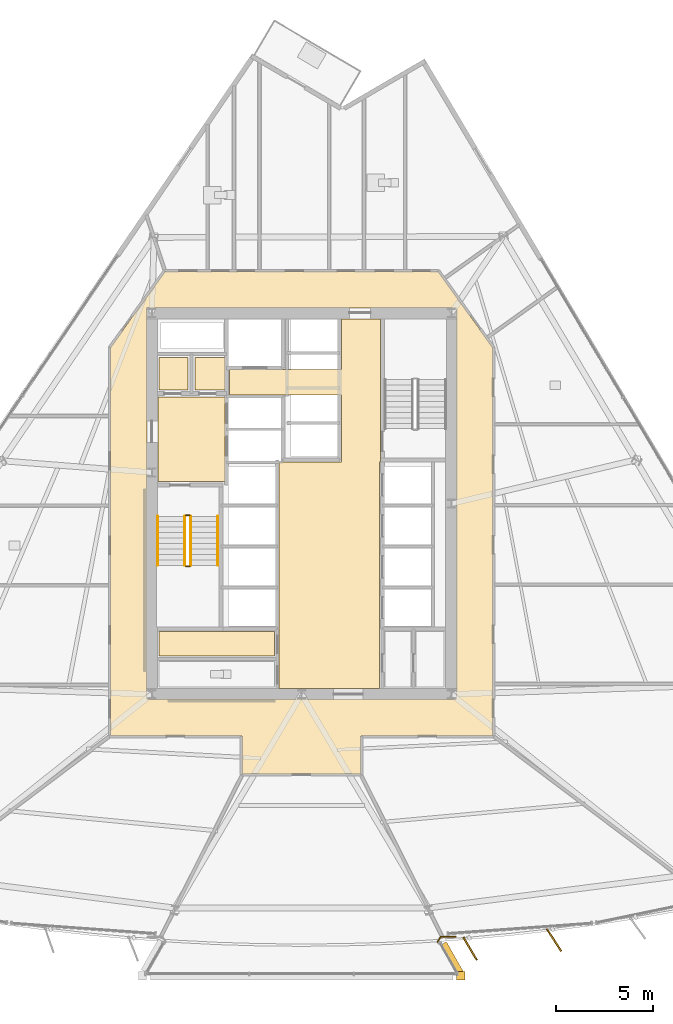
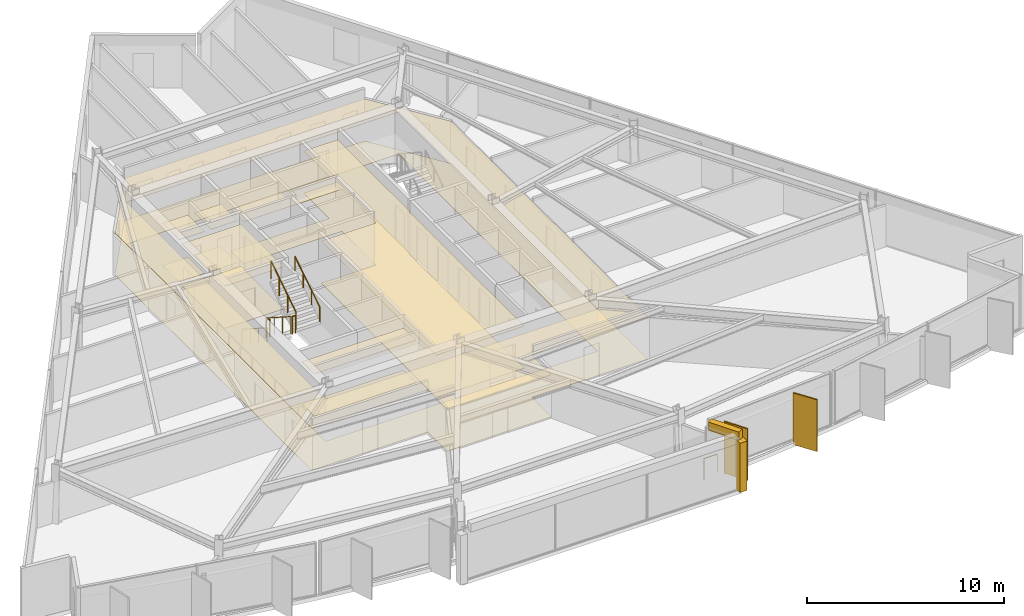
# One storey, part 13 of 16: 14 coverings, 7 railings, 2 shading devices.
"""IFC4 building model written with IfcOpenShell, lengths in metres."""

import ifcopenshell
import ifcopenshell.guid

model = None  # the IFC model being written
_history = None  # IfcOwnerHistory: only IFC2X3 demands one
_inside = {}  # id of a spatial element -> (the spatial element, [elements in it])
_under = {}  # id of a project, library or spatial element -> (it, [spatial elements below it])
_declared = {}  # id of a project -> (the project, [libraries it declares])
_typed = {}  # id of a type object -> (the type object, [elements of that type])
_made_of = {}  # id of a material, layer set ... -> (it, [elements and type objects made of it])


def new_model(schema):
    """Start an empty IFC model of exactly this schema.

    Asked for "IFC4X3", IfcOpenShell would pick the latest addendum, in which some entities
    have other attributes; the version numbers below select the first issue.
    IFC2X3 requires an IfcOwnerHistory on every rooted entity: one is made here for all.
    """
    global model, _history
    if schema == "IFC4X3":
        model = ifcopenshell.file(schema_version=(4, 3, 0, 0))
    else:
        model = ifcopenshell.file(schema=schema)
    _inside.clear()
    _under.clear()
    _declared.clear()
    _typed.clear()
    _made_of.clear()
    _history = None
    if model.schema == "IFC2X3":
        org = make("IfcOrganization", Name="unknown")
        user = make(
            "IfcPersonAndOrganization",
            ThePerson=make("IfcPerson", FamilyName="unknown"),
            TheOrganization=org,
        )
        app = make(
            "IfcApplication",
            ApplicationDeveloper=org,
            Version="unknown",
            ApplicationFullName="unknown",
            ApplicationIdentifier="unknown",
        )
        _history = make(
            "IfcOwnerHistory",
            OwningUser=user,
            OwningApplication=app,
            ChangeAction="ADDED",
            CreationDate=0,
        )
    return model


def make(cls, **values):
    """One entity of the class cls with the attributes given. An attribute that is None is left unset."""
    return model.create_entity(
        cls, **{name: value for name, value in values.items() if value is not None}
    )


def rooted(cls, **values):
    """An entity with a GlobalId (a new one), such as an element, a storey or a relation."""
    return make(cls, GlobalId=ifcopenshell.guid.new(), OwnerHistory=_history, **values)


def si_unit(unit_type, name, prefix=None):
    """IfcSIUnit, for example si_unit("LENGTHUNIT", "METRE", prefix="MILLI")."""
    return make("IfcSIUnit", UnitType=unit_type, Prefix=prefix, Name=name)


def assignment(units):
    """IfcUnitAssignment: the units of a project."""
    return None if units is None else make("IfcUnitAssignment", Units=units)


def point(xyz):
    """IfcCartesianPoint."""
    return None if xyz is None else make("IfcCartesianPoint", Coordinates=xyz)


def direction(xyz):
    """IfcDirection."""
    return None if xyz is None else make("IfcDirection", DirectionRatios=xyz)


def frame(location, z_axis=None, x_axis=None):
    """IfcAxis2Placement3D, a coordinate frame: its origin and axes. An axis left out is left unset."""
    return make(
        "IfcAxis2Placement3D",
        Location=point(location),
        Axis=direction(z_axis),
        RefDirection=direction(x_axis),
    )


def frame_2d(location, x_axis=None):
    """IfcAxis2Placement2D, a coordinate frame in the plane: its origin and x axis."""
    return make(
        "IfcAxis2Placement2D", Location=point(location), RefDirection=direction(x_axis)
    )


def origin():
    """The frame at (0, 0, 0) with its axes left unset."""
    return frame((0.0, 0.0, 0.0))


def origin_2d():
    """The frame at (0, 0) in the plane with its x axis left unset."""
    return frame_2d((0.0, 0.0))


def place(relative_to, where):
    """IfcLocalPlacement: puts the frame where relative to a parent placement (None: the world)."""
    return make(
        "IfcLocalPlacement", PlacementRelTo=relative_to, RelativePlacement=where
    )


def context(
    kind, dimensions, precision=None, world=None, true_north=None, identifier=None
):
    """IfcGeometricRepresentationContext, for example the 3D "Model" context."""
    return make(
        "IfcGeometricRepresentationContext",
        ContextIdentifier=identifier,
        ContextType=kind,
        CoordinateSpaceDimension=dimensions,
        Precision=precision,
        WorldCoordinateSystem=world,
        TrueNorth=true_north,
    )


def subcontext(parent, identifier, kind, view, scale=None):
    """IfcGeometricRepresentationSubContext, for example "Body" below "Model"."""
    return make(
        "IfcGeometricRepresentationSubContext",
        ContextIdentifier=identifier,
        ContextType=kind,
        ParentContext=parent,
        TargetScale=scale,
        TargetView=view,
    )


def project(units=None, contexts=None):
    """IfcProject with its units and contexts."""
    return rooted(
        "IfcProject",
        Name="project",
        RepresentationContexts=contexts,
        UnitsInContext=assignment(units),
    )


def spatial(cls, under=None, at=None, **own):
    """A site, building, storey or space (cls), placed at a placement, below another one or the project."""
    s = rooted(cls, ObjectPlacement=at, **own)
    if under is not None:
        _under.setdefault(under.id(), (under, []))[1].append(s)
    return s


def polyline(points):
    """IfcPolyline through the points."""
    return make("IfcPolyline", Points=[point(p) for p in points])


def profile(cls, at=None, kind="AREA", **sizes):
    """A parametric profile (cls). Its sizes go by their IFC names, for example OverallWidth=200.0."""
    return make(cls, ProfileType=kind, Position=at, **sizes)


def rectangle(**sizes):
    """IfcRectangleProfileDef."""
    return profile("IfcRectangleProfileDef", **sizes)


def circle(**sizes):
    """IfcCircleProfileDef."""
    return profile("IfcCircleProfileDef", **sizes)


def outline(outer, holes=None, kind="AREA"):
    """IfcArbitraryClosedProfileDef: a profile drawn as a closed curve; with holes, ...WithVoids."""
    if holes is None:
        return make("IfcArbitraryClosedProfileDef", ProfileType=kind, OuterCurve=outer)
    return make(
        "IfcArbitraryProfileDefWithVoids",
        ProfileType=kind,
        OuterCurve=outer,
        InnerCurves=holes,
    )


def extrude(swept, where, along, depth):
    """IfcExtrudedAreaSolid: the profile swept, set in the frame where, extruded along a direction by depth."""
    return make(
        "IfcExtrudedAreaSolid",
        SweptArea=swept,
        Position=where,
        ExtrudedDirection=direction(along),
        Depth=depth,
    )


def shape(context_of_items, identifier, shape_type, items):
    """IfcShapeRepresentation: the items that make up one representation, for example the "Body"."""
    return make(
        "IfcShapeRepresentation",
        ContextOfItems=context_of_items,
        RepresentationIdentifier=identifier,
        RepresentationType=shape_type,
        Items=items,
    )


def material(Name=None, Category=None):
    """IfcMaterial."""
    return make("IfcMaterial", Name=Name, Category=Category)


def layer(
    of_material, thickness, ventilated=None, Name=None, Category=None, Priority=None
):
    """IfcMaterialLayer: one layer of a wall or slab, of a material (None: an air gap)."""
    return make(
        "IfcMaterialLayer",
        Material=of_material,
        LayerThickness=thickness,
        IsVentilated=ventilated,
        Name=Name,
        Category=Category,
        Priority=Priority,
    )


def layer_set(layers, Name=None):
    """IfcMaterialLayerSet."""
    return make("IfcMaterialLayerSet", MaterialLayers=layers, LayerSetName=Name)


def made_of(thing, what):
    """Note that an element or type object is made of a material, layer set ...; save() writes the relation."""
    if what is not None:
        _made_of.setdefault(what.id(), (what, []))[1].append(thing)
    return thing


def type_object(cls, material=None, **own):
    """A type object (cls), such as IfcWallType, which elements share."""
    return made_of(rooted(cls, **own), material)


def element(
    cls,
    number,
    at=None,
    inside=None,
    cuts=None,
    type_object=None,
    material=None,
    context=None,
    identifier="Body",
    shape_type=None,
    held_by="IfcProductDefinitionShape",
    body=None,
    shapes=None,
    **own,
):
    """One element of the class cls, such as IfcWall. Its Tag is "e" and its number.

    at: its placement. inside: the storey or other place that contains it. cuts: it is an
    opening in that element (IfcRelVoidsElement). A single representation is given by context,
    identifier, shape_type and body (its items); several are given by shapes. held_by: the class
    of the entity that holds the representations. save() writes the other relations.
    """
    e = rooted(cls, Tag="e%d" % number, ObjectPlacement=at, **own)
    if body is not None:
        shapes = [shape(context, identifier, shape_type, body)]
    if shapes is not None:
        e.Representation = make(held_by, Representations=shapes)
    if inside is not None:
        _inside.setdefault(inside.id(), (inside, []))[1].append(e)
    if cuts is not None:
        rooted(
            "IfcRelVoidsElement", RelatingBuildingElement=cuts, RelatedOpeningElement=e
        )
    if type_object is not None:
        _typed.setdefault(type_object.id(), (type_object, []))[1].append(e)
    return made_of(e, material)


def aggregate(whole, parts):
    """IfcRelAggregates: a whole, such as a stair, and the parts it consists of."""
    return rooted("IfcRelAggregates", RelatingObject=whole, RelatedObjects=parts)


def save(model, path):
    """Write the relations noted so far, then the file.

    IfcRelAggregates (storeys below a building ...), IfcRelContainedInSpatialStructure (elements
    in a storey), IfcRelDefinesByType, IfcRelAssociatesMaterial and IfcRelDeclares: one each for
    every whole, place, type object, material and project.
    """
    for whole, parts in _under.values():
        aggregate(whole, parts)
    for where, things in _inside.values():
        rooted(
            "IfcRelContainedInSpatialStructure",
            RelatedElements=things,
            RelatingStructure=where,
        )
    for kind, things in _typed.values():
        rooted("IfcRelDefinesByType", RelatedObjects=things, RelatingType=kind)
    for what, things in _made_of.values():
        rooted("IfcRelAssociatesMaterial", RelatedObjects=things, RelatingMaterial=what)
    for by, libraries in _declared.values():
        rooted("IfcRelDeclares", RelatingContext=by, RelatedDefinitions=libraries)
    model.write(path)


model = new_model("IFC4")

# Units and contexts
model_context = context("Model", 3, precision=1e-05, world=origin(), true_north=direction((0.0, 1.0)))
body_context = subcontext(model_context, "Body", "Model", "MODEL_VIEW")
ifc_project = project(units=[si_unit("LENGTHUNIT", "METRE"), si_unit("AREAUNIT", "SQUARE_METRE"), si_unit("VOLUMEUNIT", "CUBIC_METRE"), si_unit("PLANEANGLEUNIT", "RADIAN"), si_unit("MASSUNIT", "GRAM", prefix="KILO")], contexts=[model_context])

# Site, building, storey
site_placement = place(None, origin())
site = spatial("IfcSite", under=ifc_project, at=site_placement, CompositionType="ELEMENT")
building_placement = place(site_placement, origin())
building = spatial("IfcBuilding", under=site, at=building_placement, Name="Savorim Split Tower", CompositionType="ELEMENT")
storey_placement = place(building_placement, frame((0.0, 0.0, 69.60009765625)))
storey = spatial("IfcBuildingStorey", under=building, at=storey_placement, Name="L18", CompositionType="ELEMENT", Elevation=69.60009765625)

# Coverings
ifc_material_1 = material(Name="Mineral Fibre Acoustic Ceiling")
ifc_layer_1 = layer(ifc_material_1, 0.02490234375)
ifc_layer_set_1 = layer_set([ifc_layer_1], Name="COV-CEIL-25")
covering_type_1 = type_object("IfcCoveringType", Name="COV-CEIL-25", PredefinedType="CEILING", material=ifc_layer_set_1)
covering_1_placement = place(storey_placement, frame((0.0, 0.0, 2.599853515625)))
element("IfcCovering", 1, at=covering_1_placement, inside=storey, type_object=covering_type_1, Name="L18 Firefighting Lift Lobby Acoustic Ceiling", PredefinedType="CEILING", context=body_context, shape_type="SweptSolid", body=[
    extrude(outline(polyline([(-7.3798828125, 5.8701171875), (-7.3798828125, 1.530029296875), (-3.929931640625, 1.530029296875), (-3.929931640625, 5.8701171875), (-7.3798828125, 5.8701171875)])), origin(), (0.0, 0.0, 1.0), 0.025146484375),
])
covering_2_placement = place(storey_placement, frame((0.0, 0.0, 2.599853515625)))
element("IfcCovering", 2, at=covering_2_placement, inside=storey, type_object=covering_type_1, Name="L18 Electrical Riser Acoustic Ceiling", PredefinedType="CEILING", context=body_context, shape_type="SweptSolid", body=[
    extrude(outline(polyline([(-7.320068359375, 7.919921875), (-7.320068359375, 6.22998046875), (-5.830078125, 6.22998046875), (-5.830078125, 7.919921875), (-7.320068359375, 7.919921875)])), origin(), (0.0, 0.0, 1.0), 0.025146484375),
])
covering_3_placement = place(storey_placement, frame((0.0, 0.0, 2.599853515625)))
element("IfcCovering", 3, at=covering_3_placement, inside=storey, type_object=covering_type_1, Name="L18 Telecom Riser Acoustic Ceiling", PredefinedType="CEILING", context=body_context, shape_type="SweptSolid", body=[
    extrude(outline(polyline([(-5.469970703125, 7.919921875), (-5.469970703125, 6.22998046875), (-3.929931640625, 6.22998046875), (-3.929931640625, 7.919921875), (-5.469970703125, 7.919921875)])), origin(), (0.0, 0.0, 1.0), 0.025146484375),
])
covering_4_placement = place(storey_placement, frame((0.0, 0.0, 2.599853515625)))
element("IfcCovering", 4, at=covering_4_placement, inside=storey, type_object=covering_type_1, Name="L18 Lift Lobby Acoustic Ceiling", PredefinedType="CEILING", context=body_context, shape_type="SweptSolid", body=[
    extrude(outline(polyline([(2.050048828125, 2.550048828125), (-1.14990234375, 2.550048828125), (-1.14990234375, -9.10009765625), (4.0, -9.10009765625), (4.0, 2.550048828125), (4.050048828125, 2.550048828125), (4.050048828125, 5.97998046875), (4.050048828125, 7.300048828125), (4.050048828125, 9.8798828125), (2.050048828125, 9.8798828125), (2.050048828125, 7.300048828125), (-3.699951171875, 7.300048828125), (-3.699951171875, 5.97998046875), (2.050048828125, 5.97998046875), (2.050048828125, 2.550048828125)])), origin(), (0.0, 0.0, 1.0), 0.025146484375),
])
covering_5_placement = place(storey_placement, frame((0.0, 0.0, 2.599853515625)))
element("IfcCovering", 5, at=covering_5_placement, inside=storey, type_object=covering_type_1, Name="L18 Cleaning Store Acoustic Ceiling", PredefinedType="CEILING", context=body_context, shape_type="SweptSolid", body=[
    extrude(outline(polyline([(-7.320068359375, -6.179931640625), (-7.320068359375, -7.43994140625), (-1.3798828125, -7.43994140625), (-1.3798828125, -6.179931640625), (-7.320068359375, -6.179931640625)])), origin(), (0.0, 0.0, 1.0), 0.025146484375),
])
covering_6_placement = place(storey_placement, frame((0.0, 0.0, 2.599853515625)))
element("IfcCovering", 6, at=covering_6_placement, inside=storey, type_object=covering_type_1, Name="L18 Corridor Acoustic Ceiling", PredefinedType="CEILING", context=body_context, shape_type="SweptSolid", body=[
    extrude(outline(polyline([(7.009521484375, 12.3291015625), (7.004638671875, 12.329833984375), (7.0, 12.330078125), (-7.0, 12.330078125), (-7.004638671875, 12.329833984375), (-7.009521484375, 12.3291015625), (-7.013916015625, 12.327880859375), (-7.0185546875, 12.326416015625), (-7.022705078125, 12.324462890625), (-7.027099609375, 12.322021484375), (-7.03076171875, 12.3193359375), (-7.034423828125, 12.31640625), (-7.03759765625, 12.312744140625), (-7.04052734375, 12.30908203125), (-9.820556640625, 8.42919921875), (-9.823486328125, 8.4248046875), (-9.82568359375, 8.420166015625), (-9.82763671875, 8.415283203125), (-9.828857421875, 8.410400390625), (-9.82958984375, 8.4052734375), (-9.830078125, 8.39990234375), (-9.830078125, -11.47998046875), (-9.829833984375, -11.48486328125), (-9.8291015625, -11.48974609375), (-9.827880859375, -11.494384765625), (-9.826171875, -11.4990234375), (-9.82421875, -11.503662109375), (-9.821533203125, -11.5078125), (-9.818603515625, -11.51171875), (-9.8154296875, -11.515380859375), (-9.811767578125, -11.518798828125), (-9.807861328125, -11.521484375), (-9.8037109375, -11.524169921875), (-9.799072265625, -11.526123046875), (-9.79443359375, -11.52783203125), (-9.789794921875, -11.529052734375), (-9.784912109375, -11.52978515625), (-9.780029296875, -11.530029296875), (-3.050048828125, -11.530029296875), (-3.050048828125, -13.449951171875), (-3.0498046875, -13.454833984375), (-3.049072265625, -13.459716796875), (-3.0478515625, -13.464599609375), (-3.046142578125, -13.468994140625), (-3.044189453125, -13.4736328125), (-3.04150390625, -13.477783203125), (-3.038818359375, -13.481689453125), (-3.035400390625, -13.4853515625), (-3.03173828125, -13.48876953125), (-3.02783203125, -13.49169921875), (-3.023681640625, -13.494140625), (-3.01904296875, -13.49609375), (-3.014404296875, -13.497802734375), (-3.009765625, -13.4990234375), (-3.0048828125, -13.499755859375), (-3.0, -13.5), (3.0, -13.5), (3.0048828125, -13.499755859375), (3.009765625, -13.4990234375), (3.014404296875, -13.497802734375), (3.01904296875, -13.49609375), (3.023681640625, -13.494140625), (3.02783203125, -13.49169921875), (3.03173828125, -13.48876953125), (3.035400390625, -13.4853515625), (3.038818359375, -13.481689453125), (3.04150390625, -13.477783203125), (3.044189453125, -13.4736328125), (3.046142578125, -13.468994140625), (3.0478515625, -13.464599609375), (3.049072265625, -13.459716796875), (3.0498046875, -13.454833984375), (3.050048828125, -13.449951171875), (3.050048828125, -11.530029296875), (9.780029296875, -11.530029296875), (9.784912109375, -11.52978515625), (9.789794921875, -11.529052734375), (9.79443359375, -11.52783203125), (9.799072265625, -11.526123046875), (9.8037109375, -11.524169921875), (9.807861328125, -11.521484375), (9.811767578125, -11.518798828125), (9.8154296875, -11.515380859375), (9.818603515625, -11.51171875), (9.821533203125, -11.5078125), (9.82421875, -11.503662109375), (9.826171875, -11.4990234375), (9.827880859375, -11.494384765625), (9.8291015625, -11.48974609375), (9.829833984375, -11.48486328125), (9.830078125, -11.47998046875), (9.830078125, 8.39990234375), (9.82958984375, 8.4052734375), (9.828857421875, 8.410400390625), (9.82763671875, 8.415283203125), (9.82568359375, 8.420166015625), (9.823486328125, 8.4248046875), (9.820556640625, 8.42919921875), (7.04052734375, 12.30908203125), (7.03759765625, 12.312744140625), (7.034423828125, 12.31640625), (7.03076171875, 12.3193359375), (7.027099609375, 12.322021484375), (7.022705078125, 12.324462890625), (7.0185546875, 12.326416015625), (7.013916015625, 12.327880859375), (7.009521484375, 12.3291015625)]), holes=[polyline([(-7.949951171875, 10.449951171875), (-7.949951171875, -9.64990234375), (7.949951171875, -9.64990234375), (7.949951171875, 10.449951171875), (-7.949951171875, 10.449951171875)])]), origin(), (0.0, 0.0, 1.0), 0.025146484375),
])
ifc_material_2 = material(Name="Porcelain Stoneware Flooring", Category="masonry")
ifc_layer_2 = layer(ifc_material_2, 0.02001953125)
ifc_layer_set_2 = layer_set([ifc_layer_2], Name="COV-FLOR-20")
covering_type_2 = type_object("IfcCoveringType", Name="COV-FLOR-20", PredefinedType="FLOORING", material=ifc_layer_set_2)
covering_7_placement = place(storey_placement, origin())
element("IfcCovering", 7, at=covering_7_placement, inside=storey, type_object=covering_type_2, Name="L18 Firefighting Lift Lobby Porcelain Flooring", PredefinedType="FLOORING", context=body_context, shape_type="SweptSolid", body=[
    extrude(outline(polyline([(-7.3798828125, 5.8701171875), (-7.3798828125, 1.530029296875), (-3.929931640625, 1.530029296875), (-3.929931640625, 5.8701171875), (-7.3798828125, 5.8701171875)])), origin(), (0.0, 0.0, 1.0), 0.02001953125),
])
covering_8_placement = place(storey_placement, origin())
element("IfcCovering", 8, at=covering_8_placement, inside=storey, type_object=covering_type_2, Name="L18 Electrical Riser Porcelain Flooring", PredefinedType="FLOORING", context=body_context, shape_type="SweptSolid", body=[
    extrude(outline(polyline([(-7.320068359375, 7.919921875), (-7.320068359375, 6.22998046875), (-5.830078125, 6.22998046875), (-5.830078125, 7.919921875), (-7.320068359375, 7.919921875)])), origin(), (0.0, 0.0, 1.0), 0.02001953125),
])
covering_9_placement = place(storey_placement, origin())
element("IfcCovering", 9, at=covering_9_placement, inside=storey, type_object=covering_type_2, Name="L18 Telecom Riser Porcelain Flooring", PredefinedType="FLOORING", context=body_context, shape_type="SweptSolid", body=[
    extrude(outline(polyline([(-5.469970703125, 7.919921875), (-5.469970703125, 6.22998046875), (-3.929931640625, 6.22998046875), (-3.929931640625, 7.919921875), (-5.469970703125, 7.919921875)])), origin(), (0.0, 0.0, 1.0), 0.02001953125),
])
covering_10_placement = place(storey_placement, origin())
element("IfcCovering", 10, at=covering_10_placement, inside=storey, type_object=covering_type_2, Name="L18 Lift Lobby Porcelain Flooring", PredefinedType="FLOORING", context=body_context, shape_type="SweptSolid", body=[
    extrude(outline(polyline([(2.050048828125, 2.550048828125), (-1.14990234375, 2.550048828125), (-1.14990234375, -9.10009765625), (4.0, -9.10009765625), (4.0, 2.550048828125), (4.050048828125, 2.550048828125), (4.050048828125, 5.97998046875), (4.050048828125, 7.300048828125), (4.050048828125, 9.8798828125), (2.050048828125, 9.8798828125), (2.050048828125, 7.300048828125), (-3.699951171875, 7.300048828125), (-3.699951171875, 5.97998046875), (2.050048828125, 5.97998046875), (2.050048828125, 2.550048828125)])), origin(), (0.0, 0.0, 1.0), 0.02001953125),
])
covering_11_placement = place(storey_placement, origin())
element("IfcCovering", 11, at=covering_11_placement, inside=storey, type_object=covering_type_2, Name="L18 Cleaning Store Porcelain Flooring", PredefinedType="FLOORING", context=body_context, shape_type="SweptSolid", body=[
    extrude(outline(polyline([(-7.320068359375, -6.179931640625), (-7.320068359375, -7.43994140625), (-1.3798828125, -7.43994140625), (-1.3798828125, -6.179931640625), (-7.320068359375, -6.179931640625)])), origin(), (0.0, 0.0, 1.0), 0.02001953125),
])
covering_12_placement = place(storey_placement, origin())
element("IfcCovering", 12, at=covering_12_placement, inside=storey, type_object=covering_type_2, Name="L18 Corridor Porcelain Flooring", PredefinedType="FLOORING", context=body_context, shape_type="SweptSolid", body=[
    extrude(outline(polyline([(7.009521484375, 12.3291015625), (7.004638671875, 12.329833984375), (7.0, 12.330078125), (-7.0, 12.330078125), (-7.004638671875, 12.329833984375), (-7.009521484375, 12.3291015625), (-7.013916015625, 12.327880859375), (-7.0185546875, 12.326416015625), (-7.022705078125, 12.324462890625), (-7.027099609375, 12.322021484375), (-7.03076171875, 12.3193359375), (-7.034423828125, 12.31640625), (-7.03759765625, 12.312744140625), (-7.04052734375, 12.30908203125), (-9.820556640625, 8.42919921875), (-9.823486328125, 8.4248046875), (-9.82568359375, 8.420166015625), (-9.82763671875, 8.415283203125), (-9.828857421875, 8.410400390625), (-9.82958984375, 8.4052734375), (-9.830078125, 8.39990234375), (-9.830078125, -11.47998046875), (-9.829833984375, -11.48486328125), (-9.8291015625, -11.48974609375), (-9.827880859375, -11.494384765625), (-9.826171875, -11.4990234375), (-9.82421875, -11.503662109375), (-9.821533203125, -11.5078125), (-9.818603515625, -11.51171875), (-9.8154296875, -11.515380859375), (-9.811767578125, -11.518798828125), (-9.807861328125, -11.521484375), (-9.8037109375, -11.524169921875), (-9.799072265625, -11.526123046875), (-9.79443359375, -11.52783203125), (-9.789794921875, -11.529052734375), (-9.784912109375, -11.52978515625), (-9.780029296875, -11.530029296875), (-3.050048828125, -11.530029296875), (-3.050048828125, -13.449951171875), (-3.0498046875, -13.454833984375), (-3.049072265625, -13.459716796875), (-3.0478515625, -13.464599609375), (-3.046142578125, -13.468994140625), (-3.044189453125, -13.4736328125), (-3.04150390625, -13.477783203125), (-3.038818359375, -13.481689453125), (-3.035400390625, -13.4853515625), (-3.03173828125, -13.48876953125), (-3.02783203125, -13.49169921875), (-3.023681640625, -13.494140625), (-3.01904296875, -13.49609375), (-3.014404296875, -13.497802734375), (-3.009765625, -13.4990234375), (-3.0048828125, -13.499755859375), (-3.0, -13.5), (3.0, -13.5), (3.0048828125, -13.499755859375), (3.009765625, -13.4990234375), (3.014404296875, -13.497802734375), (3.01904296875, -13.49609375), (3.023681640625, -13.494140625), (3.02783203125, -13.49169921875), (3.03173828125, -13.48876953125), (3.035400390625, -13.4853515625), (3.038818359375, -13.481689453125), (3.04150390625, -13.477783203125), (3.044189453125, -13.4736328125), (3.046142578125, -13.468994140625), (3.0478515625, -13.464599609375), (3.049072265625, -13.459716796875), (3.0498046875, -13.454833984375), (3.050048828125, -13.449951171875), (3.050048828125, -11.530029296875), (9.780029296875, -11.530029296875), (9.784912109375, -11.52978515625), (9.789794921875, -11.529052734375), (9.79443359375, -11.52783203125), (9.799072265625, -11.526123046875), (9.8037109375, -11.524169921875), (9.807861328125, -11.521484375), (9.811767578125, -11.518798828125), (9.8154296875, -11.515380859375), (9.818603515625, -11.51171875), (9.821533203125, -11.5078125), (9.82421875, -11.503662109375), (9.826171875, -11.4990234375), (9.827880859375, -11.494384765625), (9.8291015625, -11.48974609375), (9.829833984375, -11.48486328125), (9.830078125, -11.47998046875), (9.830078125, 8.39990234375), (9.82958984375, 8.4052734375), (9.828857421875, 8.410400390625), (9.82763671875, 8.415283203125), (9.82568359375, 8.420166015625), (9.823486328125, 8.4248046875), (9.820556640625, 8.42919921875), (7.04052734375, 12.30908203125), (7.03759765625, 12.312744140625), (7.034423828125, 12.31640625), (7.03076171875, 12.3193359375), (7.027099609375, 12.322021484375), (7.022705078125, 12.324462890625), (7.0185546875, 12.326416015625), (7.013916015625, 12.327880859375), (7.009521484375, 12.3291015625)]), holes=[polyline([(-7.949951171875, 10.449951171875), (-7.949951171875, -9.64990234375), (7.949951171875, -9.64990234375), (7.949951171875, 10.449951171875), (-7.949951171875, 10.449951171875)])]), origin(), (0.0, 0.0, 1.0), 0.02001953125),
])
ifc_material_3 = material(Name="White Porcelain Architectural Cladding")
ifc_layer_3 = layer(ifc_material_3, 0.139892578125)
ifc_layer_set_3 = layer_set([ifc_layer_3], Name="COV-FRM-WHITE")
covering_type_3 = type_object("IfcCoveringType", Name="COV-FRM-WHITE", PredefinedType="CLADDING", material=ifc_layer_set_3)
covering_13_placement = place(storey_placement, frame((0.0, 0.0, 3.079833984375)))
element("IfcCovering", 13, at=covering_13_placement, inside=storey, type_object=covering_type_3, Name="L18 Cantilevered Lounge White Upper Cornice Band E", PredefinedType="CLADDING", context=body_context, shape_type="SweptSolid", body=[
    extrude(outline(polyline([(8.32958984375, -23.681884765625), (7.443603515625, -22.114990234375), (7.147705078125, -22.282470703125), (8.03369140625, -23.849365234375), (8.32958984375, -23.681884765625)])), origin(), (0.0, 0.0, 1.0), 0.510009765625),
])
covering_14_placement = place(storey_placement, frame((0.0, 0.0, 0.010009765625)))
element("IfcCovering", 14, at=covering_14_placement, inside=storey, type_object=covering_type_3, Name="L18 Cantilevered Lounge White Frame Corner Post 2", PredefinedType="CLADDING", context=body_context, shape_type="SweptSolid", body=[
    extrude(outline(polyline([(7.967529296875, -24.06982421875), (8.3876953125, -24.06982421875), (8.3876953125, -23.64990234375), (7.967529296875, -23.64990234375), (7.967529296875, -24.06982421875)])), origin(), (0.0, 0.0, 1.0), 3.0498046875),
])

# Railings
ifc_material_4 = material(Name="Galvanised Painted Steel Balustrade", Category="steel")
railing_type_1 = type_object("IfcRailingType", Name="RLG-BAL-1100", PredefinedType="BALUSTRADE", material=ifc_material_4)
railing_1_placement = place(storey_placement, frame((6.986328125, -22.13330078125, 0.0)))
element("IfcRailing", 15, at=railing_1_placement, inside=storey, type_object=railing_type_1, Name="L18 Cantilevered Lounge East Edge Closure Guard", PredefinedType="BALUSTRADE", context=body_context, shape_type="SweptSolid", body=[
    extrude(circle(Radius=0.02392578125, at=origin_2d()), frame((0.0, 0.0, 1.076171875), z_axis=(0.481582589665, 0.876400712763, 0.0), x_axis=(-0.876400712763, 0.481582589665, 0.0)), (0.0, 0.0, 1.0), 0.306640625),
    extrude(circle(Radius=0.02392578125, at=origin_2d()), frame((0.147705078125, 0.268798828125, 1.076171875), z_axis=(1.0, 0.0, 0.0), x_axis=(0.0, 1.0, 0.0)), (0.0, 0.0, 1.0), 0.780029296875),
    extrude(circle(Radius=0.02099609375, at=origin_2d()), origin(), (0.0, 0.0, 1.0), 1.052001953125),
    extrude(circle(Radius=0.02099609375, at=origin_2d()), frame((0.147705078125, 0.268798828125, 0.0)), (0.0, 0.0, 1.0), 1.052001953125),
    extrude(circle(Radius=0.02099609375, at=origin_2d()), frame((0.927734375, 0.268798828125, 0.0)), (0.0, 0.0, 1.0), 1.052001953125),
])
railing_type_2 = type_object("IfcRailingType", Name="RLG-HR-900", PredefinedType="HANDRAIL", material=ifc_material_4)
railing_2_placement = place(storey_placement, frame((-7.39990234375, -0.25, 0.179931640625)))
element("IfcRailing", 16, at=railing_2_placement, inside=storey, type_object=railing_type_2, Name="L18 ST-1 stair handrail 1", PredefinedType="HANDRAIL", context=body_context, shape_type="SweptSolid", body=[
    extrude(circle(Radius=0.02392578125, at=origin_2d()), frame((0.0, 0.0, 0.8759765625), z_axis=(0.0, -0.841199657755, 0.540724639528), x_axis=(1.0, 0.0, 0.0)), (0.0, 0.0, 1.0), 2.995849609375),
    extrude(circle(Radius=0.02099609375, at=origin_2d()), origin(), (0.0, 0.0, 1.0), 0.851806640625),
    extrude(circle(Radius=0.02099609375, at=origin_2d()), frame((0.0, -0.840087890625, 0.5400390625)), (0.0, 0.0, 1.0), 0.851806640625),
    extrude(circle(Radius=0.02099609375, at=origin_2d()), frame((0.0, -1.679931640625, 1.079833984375)), (0.0, 0.0, 1.0), 0.851806640625),
    extrude(circle(Radius=0.02099609375, at=origin_2d()), frame((0.0, -2.52001953125, 1.619873046875)), (0.0, 0.0, 1.0), 0.851806640625),
])
railing_3_placement = place(storey_placement, frame((-4.300048828125, -2.77001953125, 1.97998046875)))
element("IfcRailing", 17, at=railing_3_placement, inside=storey, type_object=railing_type_2, Name="L18 ST-1 stair handrail 2", PredefinedType="HANDRAIL", context=body_context, shape_type="SweptSolid", body=[
    extrude(circle(Radius=0.02392578125, at=origin_2d()), frame((0.0, 0.0, 0.8759765625), z_axis=(0.0, 0.841199657755, 0.540724639528), x_axis=(-1.0, 0.0, 0.0)), (0.0, 0.0, 1.0), 2.995849609375),
    extrude(circle(Radius=0.02099609375, at=origin_2d()), origin(), (0.0, 0.0, 1.0), 0.851806640625),
    extrude(circle(Radius=0.02099609375, at=origin_2d()), frame((0.0, 0.840087890625, 0.5400390625)), (0.0, 0.0, 1.0), 0.851806640625),
    extrude(circle(Radius=0.02099609375, at=origin_2d()), frame((0.0, 1.679931640625, 1.079833984375)), (0.0, 0.0, 1.0), 0.851806640625),
    extrude(circle(Radius=0.02099609375, at=origin_2d()), frame((0.0, 2.52001953125, 1.619873046875)), (0.0, 0.0, 1.0), 0.851806640625),
])
railing_type_3 = type_object("IfcRailingType", Name="RLG-STG-1100", PredefinedType="BALUSTRADE", material=ifc_material_4)
railing_4_placement = place(storey_placement, frame((-6.0, -0.25, 0.179931640625)))
element("IfcRailing", 18, at=railing_4_placement, inside=storey, type_object=railing_type_3, Name="L18 ST-1 stair guard 1", PredefinedType="BALUSTRADE", context=body_context, shape_type="SweptSolid", body=[
    extrude(circle(Radius=0.02392578125, at=origin_2d()), frame((0.0, 0.0, 1.076171875), z_axis=(0.0, -0.841199657755, 0.540724639528), x_axis=(1.0, 0.0, 0.0)), (0.0, 0.0, 1.0), 2.995849609375),
    extrude(circle(Radius=0.02099609375, at=origin_2d()), origin(), (0.0, 0.0, 1.0), 1.052001953125),
    extrude(circle(Radius=0.02099609375, at=origin_2d()), frame((0.0, -0.840087890625, 0.5400390625)), (0.0, 0.0, 1.0), 1.052001953125),
    extrude(circle(Radius=0.02099609375, at=origin_2d()), frame((0.0, -1.679931640625, 1.079833984375)), (0.0, 0.0, 1.0), 1.052001953125),
    extrude(circle(Radius=0.02099609375, at=origin_2d()), frame((0.0, -2.52001953125, 1.619873046875)), (0.0, 0.0, 1.0), 1.052001953125),
])
railing_5_placement = place(storey_placement, frame((-5.949951171875, -2.820068359375, 1.7998046875)))
element("IfcRailing", 19, at=railing_5_placement, inside=storey, type_object=railing_type_3, Name="L18 ST-1 stair guard 2", PredefinedType="BALUSTRADE", context=body_context, shape_type="SweptSolid", body=[
    extrude(circle(Radius=0.02392578125, at=origin_2d()), frame((0.0, 0.0, 1.076171875), z_axis=(1.0, 0.0, 0.0), x_axis=(0.0, 1.0, 0.0)), (0.0, 0.0, 1.0), 0.199951171875),
    extrude(circle(Radius=0.02099609375, at=origin_2d()), origin(), (0.0, 0.0, 1.0), 1.052001953125),
    extrude(circle(Radius=0.02099609375, at=origin_2d()), frame((0.199951171875, 0.0, 0.0)), (0.0, 0.0, 1.0), 1.052001953125),
])
railing_6_placement = place(storey_placement, frame((-5.699951171875, -2.77001953125, 1.97998046875)))
element("IfcRailing", 20, at=railing_6_placement, inside=storey, type_object=railing_type_3, Name="L18 ST-1 stair guard 3", PredefinedType="BALUSTRADE", context=body_context, shape_type="SweptSolid", body=[
    extrude(circle(Radius=0.02392578125, at=origin_2d()), frame((0.0, 0.0, 1.076171875), z_axis=(0.0, 0.841199657755, 0.540724639528), x_axis=(-1.0, 0.0, 0.0)), (0.0, 0.0, 1.0), 2.995849609375),
    extrude(circle(Radius=0.02099609375, at=origin_2d()), origin(), (0.0, 0.0, 1.0), 1.052001953125),
    extrude(circle(Radius=0.02099609375, at=origin_2d()), frame((0.0, 0.840087890625, 0.5400390625)), (0.0, 0.0, 1.0), 1.052001953125),
    extrude(circle(Radius=0.02099609375, at=origin_2d()), frame((0.0, 1.679931640625, 1.079833984375)), (0.0, 0.0, 1.0), 1.052001953125),
    extrude(circle(Radius=0.02099609375, at=origin_2d()), frame((0.0, 2.52001953125, 1.619873046875)), (0.0, 0.0, 1.0), 1.052001953125),
])
railing_7_placement = place(storey_placement, frame((-5.949951171875, -0.199951171875, 0.0)))
element("IfcRailing", 21, at=railing_7_placement, inside=storey, type_object=railing_type_3, Name="L18 ST-1 stair guard 4", PredefinedType="BALUSTRADE", context=body_context, shape_type="SweptSolid", body=[
    extrude(circle(Radius=0.02392578125, at=origin_2d()), frame((0.0, 0.0, 1.076171875), z_axis=(1.0, 0.0, 0.0), x_axis=(0.0, 1.0, 0.0)), (0.0, 0.0, 1.0), 0.199951171875),
    extrude(circle(Radius=0.02099609375, at=origin_2d()), origin(), (0.0, 0.0, 1.0), 1.052001953125),
    extrude(circle(Radius=0.02099609375, at=origin_2d()), frame((0.199951171875, 0.0, 0.0)), (0.0, 0.0, 1.0), 1.052001953125),
])

# Shading devices
ifc_material_5 = material(Name="Terracotta Ceramic-Coated Aluminium Fin", Category="masonry")
shading_device_type = type_object("IfcShadingDeviceType", Name="SHD-FIN-1360", PredefinedType="USERDEFINED", material=ifc_material_5)
for number, where, z_axis, x_axis, name in (
    (22, (8.659423828125, -22.4716796875, -0.2001953125), (0.0, 0.0, 1.0), (0.510391336723, -0.859942255851, 0.0), "L18 Sawtooth Shading Fin 09"),
    (23, (12.97119140625, -22.029052734375, -0.2001953125), (0.0, 0.0, 1.0), (0.545148321708, -0.838339613366, 0.0), "L18 Sawtooth Shading Fin 10"),
):
    element("IfcShadingDevice", number, at=place(storey_placement, frame(where, z_axis=z_axis, x_axis=x_axis)), inside=storey, type_object=shading_device_type, Name=name, ObjectType="FIN", PredefinedType="USERDEFINED", context=body_context, shape_type="SweptSolid", body=[
        extrude(rectangle(XDim=1.360107421875, YDim=0.080078125, at=origin_2d()), origin(), (0.0, 0.0, 1.0), 3.199951171875),
    ])

save(model, "model.ifc")
